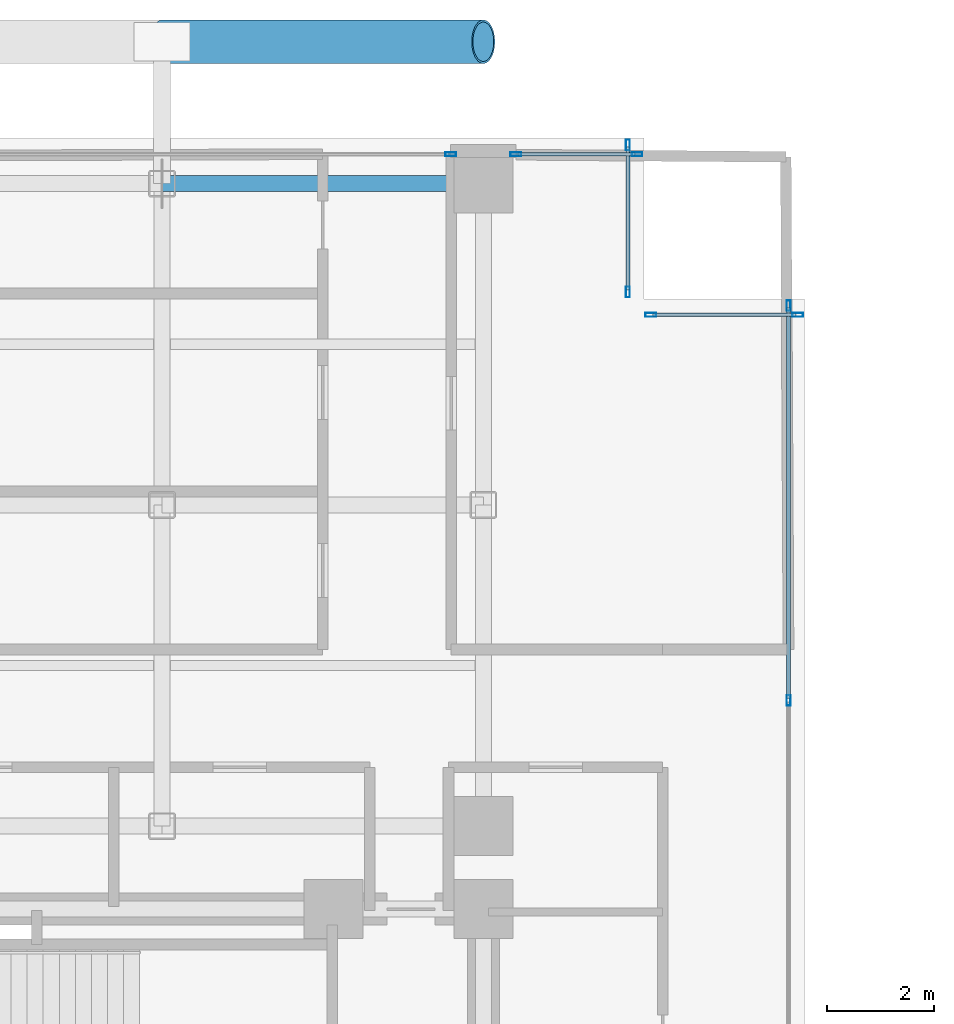
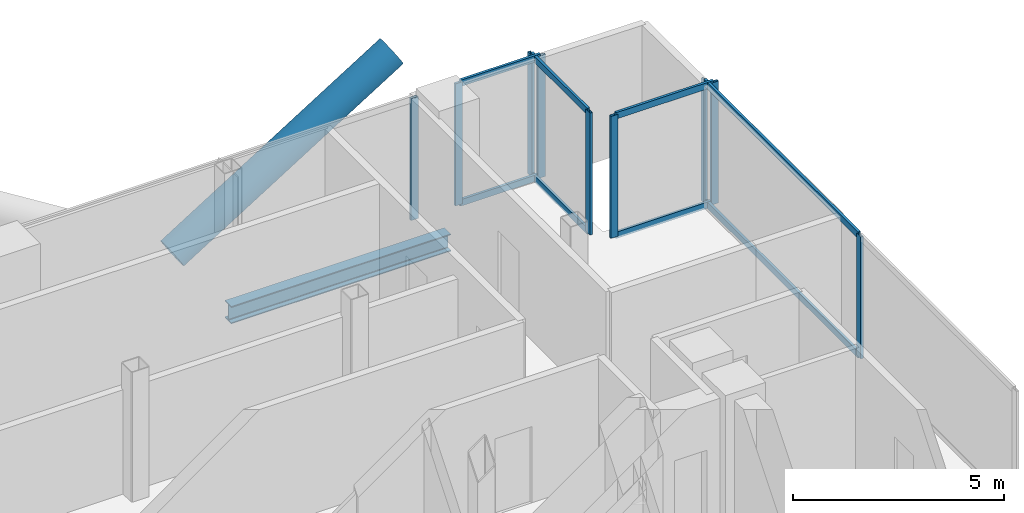
# One storey, part 17 of 28: 18 members, 1 beam, 5 elements without a shape of their own.
"""IFC4 building model written with IfcOpenShell, lengths in metres."""

from ifc_helpers import new_model, si_unit, direction, frame, origin, origin_2d, place, context, subcontext, project, spatial, hollow_rectangle, hollow_circle, i_section, extrude, material, layer, layer_set, material_profile, profile_set, type_object, element, aggregate, save


model = new_model("IFC4")

# Units and contexts
model_context = context("Model", 3, precision=1e-05, world=origin(), true_north=direction((0.0, 1.0)))
body_context = subcontext(model_context, "Body", "Model", "MODEL_VIEW")
ifc_project = project(units=[si_unit("LENGTHUNIT", "METRE"), si_unit("AREAUNIT", "SQUARE_METRE"), si_unit("VOLUMEUNIT", "CUBIC_METRE"), si_unit("PLANEANGLEUNIT", "RADIAN"), si_unit("MASSUNIT", "GRAM", prefix="KILO"), si_unit("THERMODYNAMICTEMPERATUREUNIT", "KELVIN"), si_unit("POWERUNIT", "WATT")], contexts=[model_context])

# Site, building, storey
site_placement = place(None, origin())
site = spatial("IfcSite", under=ifc_project, at=site_placement, CompositionType="ELEMENT")
building_placement = place(site_placement, origin())
building = spatial("IfcBuilding", under=site, at=building_placement, Name="Svarakhadi Broadcast Tower", CompositionType="ELEMENT")
storey_placement = place(building_placement, frame((0.0, 0.0, 123.14990234375)))
storey = spatial("IfcBuildingStorey", under=building, at=storey_placement, Name="L29", CompositionType="ELEMENT", Elevation=123.14990234375)

# Curtain wall, member
ifc_material_1 = material(Name="Anodised Bronze Aluminium AA 6063-T6", Category="aluminium")
ifc_layer = layer(ifc_material_1, 0.199951171875)
ifc_layer_set = layer_set([ifc_layer], Name="Anodised Bronze Aluminium AA 6063-T6")
curtain_wall_type = type_object("IfcCurtainWallType", Name="CW_Sys_03", PredefinedType="NOTDEFINED", material=ifc_layer_set)
curtain_wall_1_placement = place(storey_placement, origin())
curtain_wall_1 = element("IfcCurtainWall", 1, at=curtain_wall_1_placement, inside=storey, type_object=curtain_wall_type, Name="L29 Unitised Facade Curtain Wall 06 Bay 2", PredefinedType="NOTDEFINED")
ifc_material_profile_1 = material_profile(ifc_material_1, hollow_rectangle(XDim=0.074951171875, YDim=0.199951171875, WallThickness=0.005615234375, at=origin_2d()), Name="ALU MULLION 200x75x6")
ifc_profile_set_1 = profile_set([ifc_material_profile_1], Name="Anodised Bronze Aluminium AA 6063-T6")
member_type_1 = type_object("IfcMemberType", Name="CW_Sys_03_Mul", PredefinedType="MULLION", material=ifc_profile_set_1)
member_1_placement = place(storey_placement, frame((17.392578125, 41.699951171875, 0.0), z_axis=(0.0, 0.0, 1.0), x_axis=(0.0, 1.0, 0.0)))
member_1 = element("IfcMember", 2, at=member_1_placement, type_object=member_type_1, Name="CW-03 mullion 2", PredefinedType="MULLION", context=body_context, shape_type="SweptSolid", body=[
    extrude(hollow_rectangle(XDim=0.074951171875, YDim=0.199951171875, WallThickness=0.005615234375, at=origin_2d()), origin(), (0.0, 0.0, 1.0), 3.525146484375),
])
aggregate(curtain_wall_1, [member_1])

# Curtain wall, members
curtain_wall_2_placement = place(storey_placement, origin())
curtain_wall_2 = element("IfcCurtainWall", 3, at=curtain_wall_2_placement, inside=storey, type_object=curtain_wall_type, Name="L29 Unitised Facade Curtain Wall 06 Bay 3", PredefinedType="NOTDEFINED")
member_2_placement = place(storey_placement, frame((18.607421875, 41.699951171875, 0.0), z_axis=(0.0, 0.0, 1.0), x_axis=(0.0, 1.0, 0.0)))
member_2 = element("IfcMember", 4, at=member_2_placement, type_object=member_type_1, Name="CW-03 mullion 1", PredefinedType="MULLION", context=body_context, shape_type="SweptSolid", body=[
    extrude(hollow_rectangle(XDim=0.074951171875, YDim=0.199951171875, WallThickness=0.005615234375, at=origin_2d()), origin(), (0.0, 0.0, 1.0), 3.525146484375),
])
member_3_placement = place(storey_placement, frame((20.87255859375, 41.699951171875, 0.0), z_axis=(0.0, 0.0, 1.0), x_axis=(0.0, 1.0, 0.0)))
member_3 = element("IfcMember", 5, at=member_3_placement, type_object=member_type_1, Name="CW-03 mullion 2", PredefinedType="MULLION", context=body_context, shape_type="SweptSolid", body=[
    extrude(hollow_rectangle(XDim=0.074951171875, YDim=0.199951171875, WallThickness=0.005615234375, at=origin_2d()), origin(), (0.0, 0.0, 1.0), 3.525146484375),
])

curtain_wall_3_placement = place(storey_placement, origin())
curtain_wall_3 = element("IfcCurtainWall", 6, at=curtain_wall_3_placement, inside=storey, type_object=curtain_wall_type, Name="L29 Unitised Facade Curtain Wall 07", PredefinedType="NOTDEFINED")
member_4_placement = place(storey_placement, frame((20.699951171875, 41.87255859375, 0.0), z_axis=(0.0, 0.0, 1.0), x_axis=(1.0, 0.0, 0.0)))
member_4 = element("IfcMember", 7, at=member_4_placement, type_object=member_type_1, Name="CW-03 mullion 1", PredefinedType="MULLION", context=body_context, shape_type="SweptSolid", body=[
    extrude(hollow_rectangle(XDim=0.074951171875, YDim=0.199951171875, WallThickness=0.005615234375, at=origin_2d()), origin(), (0.0, 0.0, 1.0), 3.525146484375),
])
member_5_placement = place(storey_placement, frame((20.699951171875, 39.12744140625, 0.0), z_axis=(0.0, 0.0, 1.0), x_axis=(1.0, 0.0, 0.0)))
member_5 = element("IfcMember", 8, at=member_5_placement, type_object=member_type_1, Name="CW-03 mullion 2", PredefinedType="MULLION", context=body_context, shape_type="SweptSolid", body=[
    extrude(hollow_rectangle(XDim=0.074951171875, YDim=0.199951171875, WallThickness=0.005615234375, at=origin_2d()), origin(), (0.0, 0.0, 1.0), 3.525146484375),
])

curtain_wall_4_placement = place(storey_placement, origin())
curtain_wall_4 = element("IfcCurtainWall", 9, at=curtain_wall_4_placement, inside=storey, type_object=curtain_wall_type, Name="L29 Unitised Facade Curtain Wall 08", PredefinedType="NOTDEFINED")
member_6_placement = place(storey_placement, frame((21.12744140625, 38.699951171875, 0.0), z_axis=(0.0, 0.0, 1.0), x_axis=(0.0, 1.0, 0.0)))
member_6 = element("IfcMember", 10, at=member_6_placement, type_object=member_type_1, Name="CW-03 mullion 1", PredefinedType="MULLION", context=body_context, shape_type="SweptSolid", body=[
    extrude(hollow_rectangle(XDim=0.074951171875, YDim=0.199951171875, WallThickness=0.005615234375, at=origin_2d()), origin(), (0.0, 0.0, 1.0), 3.525146484375),
])
member_7_placement = place(storey_placement, frame((23.87255859375, 38.699951171875, 0.0), z_axis=(0.0, 0.0, 1.0), x_axis=(0.0, 1.0, 0.0)))
member_7 = element("IfcMember", 11, at=member_7_placement, type_object=member_type_1, Name="CW-03 mullion 2", PredefinedType="MULLION", context=body_context, shape_type="SweptSolid", body=[
    extrude(hollow_rectangle(XDim=0.074951171875, YDim=0.199951171875, WallThickness=0.005615234375, at=origin_2d()), origin(), (0.0, 0.0, 1.0), 3.525146484375),
])

curtain_wall_5_placement = place(storey_placement, origin())
curtain_wall_5 = element("IfcCurtainWall", 12, at=curtain_wall_5_placement, inside=storey, type_object=curtain_wall_type, Name="L29 Unitised Facade Curtain Wall 09", PredefinedType="NOTDEFINED")
member_8_placement = place(storey_placement, frame((23.699951171875, 38.87255859375, 0.0), z_axis=(0.0, 0.0, 1.0), x_axis=(1.0, 0.0, 0.0)))
member_8 = element("IfcMember", 13, at=member_8_placement, type_object=member_type_1, Name="CW-03 mullion 1", PredefinedType="MULLION", context=body_context, shape_type="SweptSolid", body=[
    extrude(hollow_rectangle(XDim=0.074951171875, YDim=0.199951171875, WallThickness=0.005615234375, at=origin_2d()), origin(), (0.0, 0.0, 1.0), 3.525146484375),
])
member_9_placement = place(storey_placement, frame((23.699951171875, 31.5, 0.0), z_axis=(0.0, 0.0, 1.0), x_axis=(1.0, 0.0, 0.0)))
member_9 = element("IfcMember", 14, at=member_9_placement, type_object=member_type_1, Name="CW-03 mullion 2", PredefinedType="MULLION", context=body_context, shape_type="SweptSolid", body=[
    extrude(hollow_rectangle(XDim=0.074951171875, YDim=0.199951171875, WallThickness=0.005615234375, at=origin_2d()), origin(), (0.0, 0.0, 1.0), 3.525146484375),
])

# Member
ifc_material_profile_2 = material_profile(ifc_material_1, hollow_rectangle(XDim=0.070068359375, YDim=0.18505859375, WallThickness=0.0048828125, at=origin_2d()), Name="ALU TRANSOM 185x70x5")
ifc_profile_set_2 = profile_set([ifc_material_profile_2], Name="Anodised Bronze Aluminium AA 6063-T6")
member_type_2 = type_object("IfcMemberType", Name="CW_Sys_03_Trn", PredefinedType="USERDEFINED", material=ifc_profile_set_2)
member_10_placement = place(storey_placement, frame((18.64501953125, 41.699951171875, 0.03515625), z_axis=(1.0, 0.0, 0.0), x_axis=(0.0, 1.0, 0.0)))
member_10 = element("IfcMember", 15, at=member_10_placement, type_object=member_type_2, Name="CW-03 transom 1.1", ObjectType="TRANSOM", PredefinedType="USERDEFINED", context=body_context, shape_type="SweptSolid", body=[
    extrude(hollow_rectangle(XDim=0.070068359375, YDim=0.18505859375, WallThickness=0.0048828125, at=origin_2d()), origin(), (0.0, 0.0, 1.0), 2.18994140625),
])

member_11_placement = place(storey_placement, frame((18.64501953125, 41.699951171875, 3.489990234375), z_axis=(1.0, 0.0, 0.0), x_axis=(0.0, 1.0, 0.0)))
member_11 = element("IfcMember", 16, at=member_11_placement, type_object=member_type_2, Name="CW-03 transom 1.2", ObjectType="TRANSOM", PredefinedType="USERDEFINED", context=body_context, shape_type="SweptSolid", body=[
    extrude(hollow_rectangle(XDim=0.070068359375, YDim=0.18505859375, WallThickness=0.0048828125, at=origin_2d()), origin(), (0.0, 0.0, 1.0), 2.18994140625),
])

aggregate(curtain_wall_2, [member_2, member_3, member_10, member_11])

member_12_placement = place(storey_placement, frame((20.699951171875, 41.8349609375, 0.03515625), z_axis=(0.0, -1.0, 0.0), x_axis=(1.0, 0.0, 0.0)))
member_12 = element("IfcMember", 17, at=member_12_placement, type_object=member_type_2, Name="CW-03 transom 1.1", ObjectType="TRANSOM", PredefinedType="USERDEFINED", context=body_context, shape_type="SweptSolid", body=[
    extrude(hollow_rectangle(XDim=0.070068359375, YDim=0.18505859375, WallThickness=0.0048828125, at=origin_2d()), origin(), (0.0, 0.0, 1.0), 2.669921875),
])

member_13_placement = place(storey_placement, frame((20.699951171875, 41.8349609375, 3.489990234375), z_axis=(0.0, -1.0, 0.0), x_axis=(1.0, 0.0, 0.0)))
member_13 = element("IfcMember", 18, at=member_13_placement, type_object=member_type_2, Name="CW-03 transom 1.2", ObjectType="TRANSOM", PredefinedType="USERDEFINED", context=body_context, shape_type="SweptSolid", body=[
    extrude(hollow_rectangle(XDim=0.070068359375, YDim=0.18505859375, WallThickness=0.0048828125, at=origin_2d()), origin(), (0.0, 0.0, 1.0), 2.669921875),
])

aggregate(curtain_wall_3, [member_4, member_5, member_12, member_13])

member_14_placement = place(storey_placement, frame((21.1650390625, 38.699951171875, 0.03515625), z_axis=(1.0, 0.0, 0.0), x_axis=(0.0, 1.0, 0.0)))
member_14 = element("IfcMember", 19, at=member_14_placement, type_object=member_type_2, Name="CW-03 transom 1.1", ObjectType="TRANSOM", PredefinedType="USERDEFINED", context=body_context, shape_type="SweptSolid", body=[
    extrude(hollow_rectangle(XDim=0.070068359375, YDim=0.18505859375, WallThickness=0.0048828125, at=origin_2d()), origin(), (0.0, 0.0, 1.0), 2.669921875),
])

member_15_placement = place(storey_placement, frame((21.1650390625, 38.699951171875, 3.489990234375), z_axis=(1.0, 0.0, 0.0), x_axis=(0.0, 1.0, 0.0)))
member_15 = element("IfcMember", 20, at=member_15_placement, type_object=member_type_2, Name="CW-03 transom 1.2", ObjectType="TRANSOM", PredefinedType="USERDEFINED", context=body_context, shape_type="SweptSolid", body=[
    extrude(hollow_rectangle(XDim=0.070068359375, YDim=0.18505859375, WallThickness=0.0048828125, at=origin_2d()), origin(), (0.0, 0.0, 1.0), 2.669921875),
])

aggregate(curtain_wall_4, [member_6, member_7, member_14, member_15])

member_16_placement = place(storey_placement, frame((23.699951171875, 38.8349609375, 0.03515625), z_axis=(0.0, -1.0, 0.0), x_axis=(1.0, 0.0, 0.0)))
member_16 = element("IfcMember", 21, at=member_16_placement, type_object=member_type_2, Name="CW-03 transom 1.1", ObjectType="TRANSOM", PredefinedType="USERDEFINED", context=body_context, shape_type="SweptSolid", body=[
    extrude(hollow_rectangle(XDim=0.070068359375, YDim=0.18505859375, WallThickness=0.0048828125, at=origin_2d()), origin(), (0.0, 0.0, 1.0), 7.29736328125),
])

member_17_placement = place(storey_placement, frame((23.699951171875, 38.8349609375, 3.489990234375), z_axis=(0.0, -1.0, 0.0), x_axis=(1.0, 0.0, 0.0)))
member_17 = element("IfcMember", 22, at=member_17_placement, type_object=member_type_2, Name="CW-03 transom 1.2", ObjectType="TRANSOM", PredefinedType="USERDEFINED", context=body_context, shape_type="SweptSolid", body=[
    extrude(hollow_rectangle(XDim=0.070068359375, YDim=0.18505859375, WallThickness=0.0048828125, at=origin_2d()), origin(), (0.0, 0.0, 1.0), 7.29736328125),
])

aggregate(curtain_wall_5, [member_8, member_9, member_16, member_17])

ifc_material_2 = material(Name="Steel S460ML (IS 2062 E450BR)", Category="steel")
ifc_material_profile_3 = material_profile(ifc_material_2, hollow_circle(Radius=0.406494140625, WallThickness=0.0400390625, at=origin_2d()), Name="CHS 813x40")
ifc_profile_set_3 = profile_set([ifc_material_profile_3], Name="Steel S460ML (IS 2062 E450BR)")
member_type_3 = type_object("IfcMemberType", Name="Exo_Brace_CHS813", PredefinedType="BRACE", material=ifc_profile_set_3)
member_18_placement = place(storey_placement, frame((12.0, 43.800048828125, -0.386962890625), z_axis=(0.847998304005, 0.0, 0.529998940003), x_axis=(0.0, 1.0, 0.0)))
element("IfcMember", 23, at=member_18_placement, inside=storey, type_object=member_type_3, Name="L29 Exposed Bronze Exoskeleton Diagonal N11", PredefinedType="BRACE", context=body_context, shape_type="SweptSolid", body=[
    extrude(hollow_circle(Radius=0.406494140625, WallThickness=0.0400390625, at=origin_2d()), origin(), (0.0, 0.0, 1.0), 7.075439453125),
])

# Beam
ifc_material_3 = material(Name="Steel S355J2 (IS 2062 E350C)", Category="steel")
ifc_material_profile_4 = material_profile(ifc_material_3, i_section(OverallWidth=0.300048828125, OverallDepth=0.5, WebThickness=0.014404296875, FlangeThickness=0.028076171875, FilletRadius=0.027099609375, at=origin_2d()), Name="WPB 500x300x187")
ifc_profile_set_4 = profile_set([ifc_material_profile_4], Name="Steel S355J2 (IS 2062 E350C)")
beam_type = type_object("IfcBeamType", Name="Girder_WPB500", PredefinedType="USERDEFINED", material=ifc_profile_set_4)
beam_placement = place(storey_placement, frame((12.0, 41.14990234375, -0.474853515625), z_axis=(1.0, 0.0, 0.0), x_axis=(0.0, 1.0, 0.0)))
element("IfcBeam", 24, at=beam_placement, inside=storey, type_object=beam_type, Name="L29 Primary E-W Girder G039", ObjectType="GIRDER", PredefinedType="USERDEFINED", context=body_context, shape_type="SweptSolid", body=[
    extrude(i_section(OverallWidth=0.300048828125, OverallDepth=0.5, WebThickness=0.014404296875, FlangeThickness=0.028076171875, FilletRadius=0.027099609375, at=origin_2d()), origin(), (0.0, 0.0, 1.0), 6.0),
])

save(model, "model.ifc")
